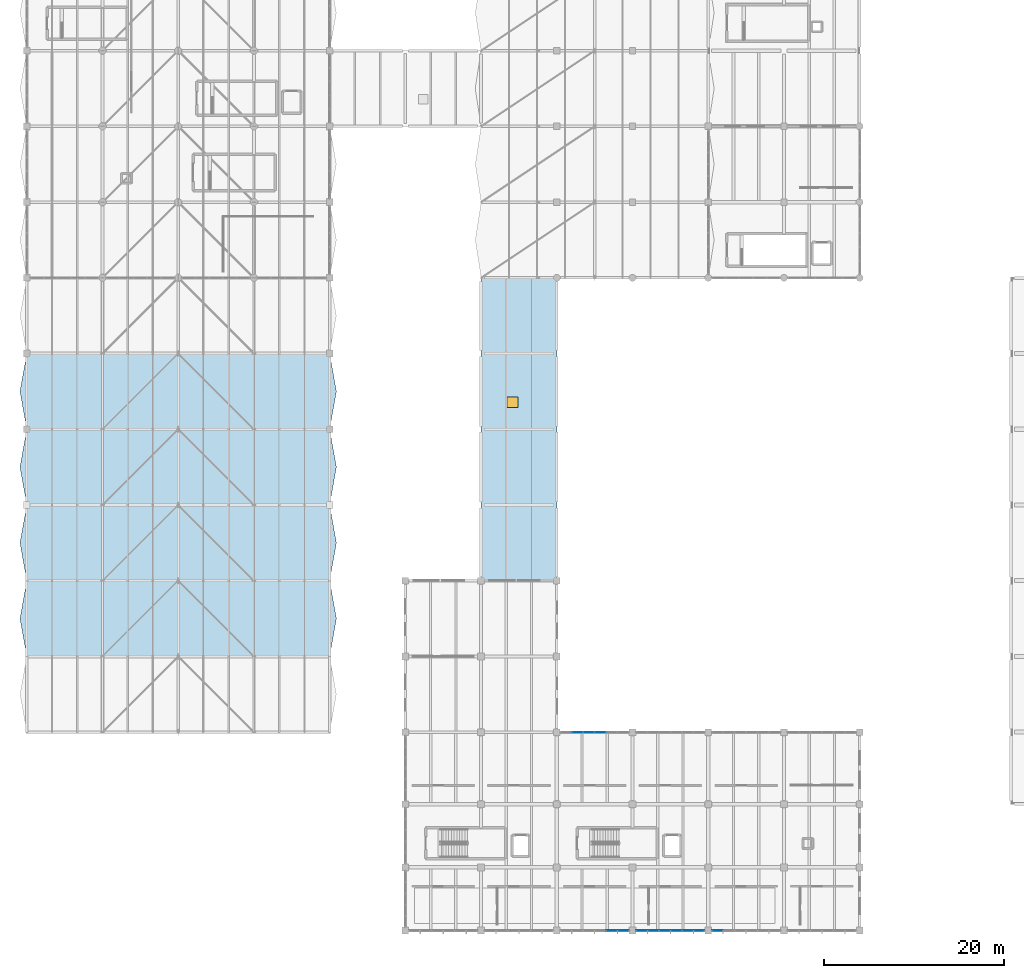
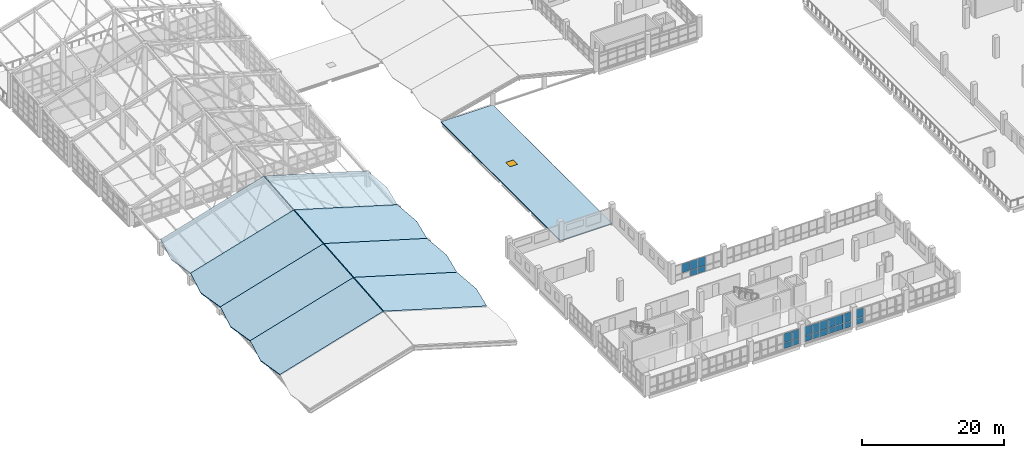
# One storey, part 65 of 95: 23 plates, 9 slabs, 1 door, 1 opening, 4 elements without a shape of their own.
"""IFC4 building model written with IfcOpenShell, lengths in metres."""

from ifc_helpers import new_model, si_unit, direction, frame, origin, origin_2d, place, context, subcontext, project, spatial, polyline, rectangle, outline, extrude, material, layer, layer_set, type_object, element, fill, aggregate, save


model = new_model("IFC4")

# Units and contexts
model_context = context("Model", 3, precision=1e-05, world=origin(), true_north=direction((0.0, 1.0)))
body_context = subcontext(model_context, "Body", "Model", "MODEL_VIEW")
ifc_project = project(units=[si_unit("LENGTHUNIT", "METRE"), si_unit("AREAUNIT", "SQUARE_METRE"), si_unit("VOLUMEUNIT", "CUBIC_METRE"), si_unit("PLANEANGLEUNIT", "RADIAN"), si_unit("MASSUNIT", "GRAM", prefix="KILO"), si_unit("THERMODYNAMICTEMPERATUREUNIT", "KELVIN"), si_unit("POWERUNIT", "WATT")], contexts=[model_context])

# Site, building, storey
site_placement = place(None, origin())
site = spatial("IfcSite", under=ifc_project, at=site_placement, CompositionType="ELEMENT")
building_placement = place(site_placement, origin())
building = spatial("IfcBuilding", under=site, at=building_placement, Name="Mavoryth Pier Ferry Terminal", CompositionType="ELEMENT")
storey_placement = place(building_placement, frame((0.0, 0.0, 9.60009765625)))
storey = spatial("IfcBuildingStorey", under=building, at=storey_placement, Name="L02", CompositionType="ELEMENT", Elevation=9.60009765625)

# Curtain wall, plates
ifc_material_1 = material(Name="Anodised Aluminium and Solar-Control Low-E Glass", Category="aluminium")
ifc_layer_1 = layer(ifc_material_1, 0.239990234375, Name="Anodised Aluminium and Solar-Control Low-E Glass", Category="aluminium")
ifc_layer_set_1 = layer_set([ifc_layer_1], Name="Anodised Aluminium and Solar-Control Low-E Glass - CW-Operations-Mod1200")
curtain_wall_type = type_object("IfcCurtainWallType", Name="CW-Operations-Mod1200", PredefinedType="USERDEFINED", material=ifc_layer_set_1)
curtain_wall_1_placement = place(storey_placement, origin())
curtain_wall_1 = element("IfcCurtainWall", 1, at=curtain_wall_1_placement, inside=storey, type_object=curtain_wall_type, Name="Curtain Wall CW-0222-125", ObjectType="UNITISED CURTAIN WALL", PredefinedType="USERDEFINED")
ifc_material_2 = material(Name="Solar-Control Low-E Laminated Double Glazing", Category="glass")
ifc_layer_2 = layer(ifc_material_2, 0.02392578125, Name="Solar-Control Low-E Laminated Double Glazing", Category="glass")
ifc_layer_set_2 = layer_set([ifc_layer_2], Name="Solar-Control Low-E Laminated Double Glazing - Panel-LowE-DGU-24")
plate_type = type_object("IfcPlateType", Name="Panel-LowE-DGU-24", PredefinedType="CURTAIN_PANEL", material=ifc_layer_set_2)
plate_1_placement = place(storey_placement, frame((64.91259765625, 0.0, 0.059814453125), z_axis=(0.0, 0.0, 1.0), x_axis=(1.0, 0.0, 0.0)))
plate_1 = element("IfcPlate", 2, at=plate_1_placement, type_object=plate_type, Name="CW06 panel 5.1", PredefinedType="CURTAIN_PANEL", context=body_context, shape_type="SweptSolid", body=[
    extrude(rectangle(XDim=1.215087890625, YDim=0.02392578125, at=origin_2d()), origin(), (0.0, 0.0, 1.0), 0.9599609375),
])
plate_2_placement = place(storey_placement, frame((64.91259765625, 0.0, 1.079833984375), z_axis=(0.0, 0.0, 1.0), x_axis=(1.0, 0.0, 0.0)))
plate_2 = element("IfcPlate", 3, at=plate_2_placement, type_object=plate_type, Name="CW06 panel 5.2", PredefinedType="CURTAIN_PANEL", context=body_context, shape_type="SweptSolid", body=[
    extrude(rectangle(XDim=1.215087890625, YDim=0.02392578125, at=origin_2d()), origin(), (0.0, 0.0, 1.0), 1.56494140625),
])
plate_3_placement = place(storey_placement, frame((66.172607421875, 0.0, 0.059814453125), z_axis=(0.0, 0.0, 1.0), x_axis=(1.0, 0.0, 0.0)))
plate_3 = element("IfcPlate", 4, at=plate_3_placement, type_object=plate_type, Name="CW06 panel 6.1", PredefinedType="CURTAIN_PANEL", context=body_context, shape_type="SweptSolid", body=[
    extrude(rectangle(XDim=1.18505859375, YDim=0.02392578125, at=origin_2d()), origin(), (0.0, 0.0, 1.0), 0.9599609375),
])
plate_4_placement = place(storey_placement, frame((66.172607421875, 0.0, 1.079833984375), z_axis=(0.0, 0.0, 1.0), x_axis=(1.0, 0.0, 0.0)))
plate_4 = element("IfcPlate", 5, at=plate_4_placement, type_object=plate_type, Name="CW06 panel 6.2", PredefinedType="CURTAIN_PANEL", context=body_context, shape_type="SweptSolid", body=[
    extrude(rectangle(XDim=1.18505859375, YDim=0.02392578125, at=origin_2d()), origin(), (0.0, 0.0, 1.0), 1.56494140625),
])
aggregate(curtain_wall_1, [plate_1, plate_2, plate_3, plate_4])

curtain_wall_2_placement = place(storey_placement, origin())
curtain_wall_2 = element("IfcCurtainWall", 6, at=curtain_wall_2_placement, inside=storey, type_object=curtain_wall_type, Name="Curtain Wall CW-0222-126", ObjectType="UNITISED CURTAIN WALL", PredefinedType="USERDEFINED")
plate_5_placement = place(storey_placement, frame((63.637451171875, 22.0, 0.059814453125), z_axis=(0.0, 0.0, 1.0), x_axis=(-1.0, 0.0, 0.0)))
plate_5 = element("IfcPlate", 7, at=plate_5_placement, type_object=plate_type, Name="CW06 panel 3.1", PredefinedType="CURTAIN_PANEL", context=body_context, shape_type="SweptSolid", body=[
    extrude(rectangle(XDim=1.215087890625, YDim=0.02392578125, at=origin_2d()), origin(), (0.0, 0.0, 1.0), 0.9599609375),
])
plate_6_placement = place(storey_placement, frame((63.637451171875, 22.0, 1.079833984375), z_axis=(0.0, 0.0, 1.0), x_axis=(-1.0, 0.0, 0.0)))
plate_6 = element("IfcPlate", 8, at=plate_6_placement, type_object=plate_type, Name="CW06 panel 3.2", PredefinedType="CURTAIN_PANEL", context=body_context, shape_type="SweptSolid", body=[
    extrude(rectangle(XDim=1.215087890625, YDim=0.02392578125, at=origin_2d()), origin(), (0.0, 0.0, 1.0), 1.56494140625),
])
plate_7_placement = place(storey_placement, frame((62.362548828125, 22.0, 0.059814453125), z_axis=(0.0, 0.0, 1.0), x_axis=(-1.0, 0.0, 0.0)))
plate_7 = element("IfcPlate", 9, at=plate_7_placement, type_object=plate_type, Name="CW06 panel 4.1", PredefinedType="CURTAIN_PANEL", context=body_context, shape_type="SweptSolid", body=[
    extrude(rectangle(XDim=1.215087890625, YDim=0.02392578125, at=origin_2d()), origin(), (0.0, 0.0, 1.0), 0.9599609375),
])
plate_8_placement = place(storey_placement, frame((62.362548828125, 22.0, 1.079833984375), z_axis=(0.0, 0.0, 1.0), x_axis=(-1.0, 0.0, 0.0)))
plate_8 = element("IfcPlate", 10, at=plate_8_placement, type_object=plate_type, Name="CW06 panel 4.2", PredefinedType="CURTAIN_PANEL", context=body_context, shape_type="SweptSolid", body=[
    extrude(rectangle(XDim=1.215087890625, YDim=0.02392578125, at=origin_2d()), origin(), (0.0, 0.0, 1.0), 1.56494140625),
])
plate_9_placement = place(storey_placement, frame((61.08740234375, 22.0, 1.079833984375), z_axis=(0.0, 0.0, 1.0), x_axis=(-1.0, 0.0, 0.0)))
plate_9 = element("IfcPlate", 11, at=plate_9_placement, type_object=plate_type, Name="CW06 panel 5.2", PredefinedType="CURTAIN_PANEL", context=body_context, shape_type="SweptSolid", body=[
    extrude(rectangle(XDim=1.215087890625, YDim=0.02392578125, at=origin_2d()), origin(), (0.0, 0.0, 1.0), 1.56494140625),
])
aggregate(curtain_wall_2, [plate_5, plate_6, plate_7, plate_8, plate_9])

curtain_wall_3_placement = place(storey_placement, origin())
curtain_wall_3 = element("IfcCurtainWall", 12, at=curtain_wall_3_placement, inside=storey, type_object=curtain_wall_type, Name="Curtain Wall CW-0222-127", ObjectType="UNITISED CURTAIN WALL", PredefinedType="USERDEFINED")
plate_10_placement = place(storey_placement, frame((68.2275390625, 0.0, 0.059814453125), z_axis=(0.0, 0.0, 1.0), x_axis=(1.0, 0.0, 0.0)))
plate_10 = element("IfcPlate", 13, at=plate_10_placement, type_object=plate_type, Name="CW06 panel 1.1", PredefinedType="CURTAIN_PANEL", context=body_context, shape_type="SweptSolid", body=[
    extrude(rectangle(XDim=1.18505859375, YDim=0.02392578125, at=origin_2d()), origin(), (0.0, 0.0, 1.0), 0.9599609375),
])
plate_11_placement = place(storey_placement, frame((68.2275390625, 0.0, 1.079833984375), z_axis=(0.0, 0.0, 1.0), x_axis=(1.0, 0.0, 0.0)))
plate_11 = element("IfcPlate", 14, at=plate_11_placement, type_object=plate_type, Name="CW06 panel 1.2", PredefinedType="CURTAIN_PANEL", context=body_context, shape_type="SweptSolid", body=[
    extrude(rectangle(XDim=1.18505859375, YDim=0.02392578125, at=origin_2d()), origin(), (0.0, 0.0, 1.0), 1.56494140625),
])
plate_12_placement = place(storey_placement, frame((69.487548828125, 0.0, 0.059814453125), z_axis=(0.0, 0.0, 1.0), x_axis=(1.0, 0.0, 0.0)))
plate_12 = element("IfcPlate", 15, at=plate_12_placement, type_object=plate_type, Name="CW06 panel 2.1", PredefinedType="CURTAIN_PANEL", context=body_context, shape_type="SweptSolid", body=[
    extrude(rectangle(XDim=1.215087890625, YDim=0.02392578125, at=origin_2d()), origin(), (0.0, 0.0, 1.0), 0.9599609375),
])
plate_13_placement = place(storey_placement, frame((69.487548828125, 0.0, 1.079833984375), z_axis=(0.0, 0.0, 1.0), x_axis=(1.0, 0.0, 0.0)))
plate_13 = element("IfcPlate", 16, at=plate_13_placement, type_object=plate_type, Name="CW06 panel 2.2", PredefinedType="CURTAIN_PANEL", context=body_context, shape_type="SweptSolid", body=[
    extrude(rectangle(XDim=1.215087890625, YDim=0.02392578125, at=origin_2d()), origin(), (0.0, 0.0, 1.0), 1.56494140625),
])
plate_14_placement = place(storey_placement, frame((70.762451171875, 0.0, 0.059814453125), z_axis=(0.0, 0.0, 1.0), x_axis=(1.0, 0.0, 0.0)))
plate_14 = element("IfcPlate", 17, at=plate_14_placement, type_object=plate_type, Name="CW06 panel 3.1", PredefinedType="CURTAIN_PANEL", context=body_context, shape_type="SweptSolid", body=[
    extrude(rectangle(XDim=1.215087890625, YDim=0.02392578125, at=origin_2d()), origin(), (0.0, 0.0, 1.0), 0.9599609375),
])
plate_15_placement = place(storey_placement, frame((70.762451171875, 0.0, 1.079833984375), z_axis=(0.0, 0.0, 1.0), x_axis=(1.0, 0.0, 0.0)))
plate_15 = element("IfcPlate", 18, at=plate_15_placement, type_object=plate_type, Name="CW06 panel 3.2", PredefinedType="CURTAIN_PANEL", context=body_context, shape_type="SweptSolid", body=[
    extrude(rectangle(XDim=1.215087890625, YDim=0.02392578125, at=origin_2d()), origin(), (0.0, 0.0, 1.0), 1.56494140625),
])
plate_16_placement = place(storey_placement, frame((72.03759765625, 0.0, 0.059814453125), z_axis=(0.0, 0.0, 1.0), x_axis=(1.0, 0.0, 0.0)))
plate_16 = element("IfcPlate", 19, at=plate_16_placement, type_object=plate_type, Name="CW06 panel 4.1", PredefinedType="CURTAIN_PANEL", context=body_context, shape_type="SweptSolid", body=[
    extrude(rectangle(XDim=1.215087890625, YDim=0.02392578125, at=origin_2d()), origin(), (0.0, 0.0, 1.0), 0.9599609375),
])
plate_17_placement = place(storey_placement, frame((72.03759765625, 0.0, 1.079833984375), z_axis=(0.0, 0.0, 1.0), x_axis=(1.0, 0.0, 0.0)))
plate_17 = element("IfcPlate", 20, at=plate_17_placement, type_object=plate_type, Name="CW06 panel 4.2", PredefinedType="CURTAIN_PANEL", context=body_context, shape_type="SweptSolid", body=[
    extrude(rectangle(XDim=1.215087890625, YDim=0.02392578125, at=origin_2d()), origin(), (0.0, 0.0, 1.0), 1.56494140625),
])
plate_18_placement = place(storey_placement, frame((73.3125, 0.0, 0.059814453125), z_axis=(0.0, 0.0, 1.0), x_axis=(1.0, 0.0, 0.0)))
plate_18 = element("IfcPlate", 21, at=plate_18_placement, type_object=plate_type, Name="CW06 panel 5.1", PredefinedType="CURTAIN_PANEL", context=body_context, shape_type="SweptSolid", body=[
    extrude(rectangle(XDim=1.215087890625, YDim=0.02392578125, at=origin_2d()), origin(), (0.0, 0.0, 1.0), 0.9599609375),
])
plate_19_placement = place(storey_placement, frame((73.3125, 0.0, 1.079833984375), z_axis=(0.0, 0.0, 1.0), x_axis=(1.0, 0.0, 0.0)))
plate_19 = element("IfcPlate", 22, at=plate_19_placement, type_object=plate_type, Name="CW06 panel 5.2", PredefinedType="CURTAIN_PANEL", context=body_context, shape_type="SweptSolid", body=[
    extrude(rectangle(XDim=1.215087890625, YDim=0.02392578125, at=origin_2d()), origin(), (0.0, 0.0, 1.0), 1.56494140625),
])
plate_20_placement = place(storey_placement, frame((74.572509765625, 0.0, 0.059814453125), z_axis=(0.0, 0.0, 1.0), x_axis=(1.0, 0.0, 0.0)))
plate_20 = element("IfcPlate", 23, at=plate_20_placement, type_object=plate_type, Name="CW06 panel 6.1", PredefinedType="CURTAIN_PANEL", context=body_context, shape_type="SweptSolid", body=[
    extrude(rectangle(XDim=1.18505859375, YDim=0.02392578125, at=origin_2d()), origin(), (0.0, 0.0, 1.0), 0.9599609375),
])
plate_21_placement = place(storey_placement, frame((74.572509765625, 0.0, 1.079833984375), z_axis=(0.0, 0.0, 1.0), x_axis=(1.0, 0.0, 0.0)))
plate_21 = element("IfcPlate", 24, at=plate_21_placement, type_object=plate_type, Name="CW06 panel 6.2", PredefinedType="CURTAIN_PANEL", context=body_context, shape_type="SweptSolid", body=[
    extrude(rectangle(XDim=1.18505859375, YDim=0.02392578125, at=origin_2d()), origin(), (0.0, 0.0, 1.0), 1.56494140625),
])
aggregate(curtain_wall_3, [plate_10, plate_11, plate_12, plate_13, plate_14, plate_15, plate_16, plate_17, plate_18, plate_19, plate_20, plate_21])

curtain_wall_4_placement = place(storey_placement, origin())
curtain_wall_4 = element("IfcCurtainWall", 25, at=curtain_wall_4_placement, inside=storey, type_object=curtain_wall_type, Name="Curtain Wall CW-0222-129", ObjectType="UNITISED CURTAIN WALL", PredefinedType="USERDEFINED")
plate_22_placement = place(storey_placement, frame((76.62744140625, 0.0, 0.059814453125), z_axis=(0.0, 0.0, 1.0), x_axis=(1.0, 0.0, 0.0)))
plate_22 = element("IfcPlate", 26, at=plate_22_placement, type_object=plate_type, Name="CW06 panel 1.1", PredefinedType="CURTAIN_PANEL", context=body_context, shape_type="SweptSolid", body=[
    extrude(rectangle(XDim=1.18505859375, YDim=0.02392578125, at=origin_2d()), origin(), (0.0, 0.0, 1.0), 0.9599609375),
])
plate_23_placement = place(storey_placement, frame((76.62744140625, 0.0, 1.079833984375), z_axis=(0.0, 0.0, 1.0), x_axis=(1.0, 0.0, 0.0)))
plate_23 = element("IfcPlate", 27, at=plate_23_placement, type_object=plate_type, Name="CW06 panel 1.2", PredefinedType="CURTAIN_PANEL", context=body_context, shape_type="SweptSolid", body=[
    extrude(rectangle(XDim=1.18505859375, YDim=0.02392578125, at=origin_2d()), origin(), (0.0, 0.0, 1.0), 1.56494140625),
])
aggregate(curtain_wall_4, [plate_22, plate_23])

# Slab, opening, door
ifc_material_3 = material(Name="Concrete C35/45", Category="concrete")
ifc_layer_3 = layer(ifc_material_3, 0.159912109375, Name="Concrete C35/45", Category="concrete")
ifc_layer_set_3 = layer_set([ifc_layer_3], Name="Concrete C35/45 - Slab-Roof-Canopy-160")
slab_type_1 = type_object("IfcSlabType", Name="Slab-Roof-Canopy-160", PredefinedType="ROOF", material=ifc_layer_set_3)
slab_1_placement = place(storey_placement, frame((0.0, 0.0, -0.16015625)))
slab_1 = element("IfcSlab", 28, at=slab_1_placement, inside=storey, type_object=slab_type_1, Name="Slab SLB-BR52-RF", PredefinedType="ROOF", context=body_context, shape_type="SweptSolid", body=[
    extrude(outline(polyline([(50.39990234375, 38.800048828125), (58.800048828125, 38.800048828125), (58.800048828125, 72.39990234375), (50.39990234375, 72.39990234375), (50.39990234375, 38.800048828125)]), holes=[polyline([(53.300048828125, 58.0), (54.5, 58.0), (54.5, 59.199951171875), (53.300048828125, 59.199951171875), (53.300048828125, 58.0)])]), origin(), (0.0, 0.0, 1.0), 0.16015625),
])
opening_placement = place(slab_1_placement, frame((53.89990234375, 58.60009765625, 0.0)))
opening = element("IfcOpeningElement", 29, at=opening_placement, cuts=slab_1, Name="Opening RH01-06", PredefinedType="OPENING", context=body_context, shape_type="SweptSolid", body=[
    extrude(rectangle(XDim=1.199951171875, YDim=1.199951171875, at=origin_2d()), frame((0.0, 0.0, -0.010009765625)), (0.0, 0.0, 1.0), 0.18017578125),
])
ifc_material_4 = material(Name="Thermally Broken Anodised Aluminium and Laminated Glass", Category="aluminium")
door_type = type_object("IfcDoorType", Name="Hatch-RoofAccess-1200x1200", OperationType="NOTDEFINED", PredefinedType="TRAPDOOR", material=ifc_material_4)
door_placement = place(opening_placement, frame((0.0, 0.0, 0.110107421875)))
door = element("IfcDoor", 30, at=door_placement, inside=storey, type_object=door_type, Name="Roof Maintenance Access Hatch 6", OperationType="SINGLE_SWING_LEFT", OverallHeight=1.199951171875, OverallWidth=1.199951171875, PredefinedType="TRAPDOOR", context=body_context, shape_type="SweptSolid", body=[
    extrude(rectangle(XDim=1.199951171875, YDim=1.199951171875, at=origin_2d()), origin(), (0.0, 0.0, 1.0), 0.050048828125),
])
fill(opening, door)

# Slabs
ifc_layer_4 = layer(ifc_material_3, 0.219970703125, Name="Concrete C35/45", Category="concrete")
ifc_layer_set_4 = layer_set([ifc_layer_4], Name="Concrete C35/45 - Slab-Roof-FoldedV1-220")
slab_type_2 = type_object("IfcSlabType", Name="Slab-Roof-FoldedV1-220", PredefinedType="ROOF", material=ifc_layer_set_4)
slab_2_placement = place(storey_placement, frame((0.0, 30.39990234375, -0.285888671875), z_axis=(-0.284139743461, -0.081242455008, 0.955334637543), x_axis=(0.95850308777, 3.50045e-07, 0.285082147346)))
element("IfcSlab", 31, at=slab_2_placement, inside=storey, type_object=slab_type_2, Name="Departure Folded Roof West Bay 2", PredefinedType="ROOF", context=body_context, shape_type="SweptSolid", body=[
    extrude(outline(polyline([(0.0, 0.0), (17.45633913787221, 5.551115123125783e-17), (17.65999206930148, 8.428006299132136), (0.20365293142927007, 8.428006299132138), (-0.6805957720737122, 4.214138161071467), (0.0, 0.0)])), origin(), (0.0, 0.0, -1.0), 0.219970703125),
])
slab_3_placement = place(storey_placement, frame((16.867919921875, 30.39990234375, 4.690673828125), z_axis=(0.284136015813, -0.081242548614, 0.955335738268), x_axis=(0.958504199648, -3.42964e-07, -0.285078408963)))
element("IfcSlab", 32, at=slab_3_placement, inside=storey, type_object=slab_type_2, Name="Departure Folded Roof East Bay 2", PredefinedType="ROOF", context=body_context, shape_type="SweptSolid", body=[
    extrude(outline(polyline([(0.0, 0.0), (17.45657314726147, 0.0), (18.137170284964895, 4.214137940625462), (17.252922945846716, 8.428006365099307), (-0.20365020141475332, 8.428006365099307), (0.0, 0.0)])), origin(), (0.0, 0.0, -1.0), 0.219970703125),
])
slab_4_placement = place(storey_placement, frame((0.0, 38.800048828125, 0.428466796875), z_axis=(-0.284139422492, -0.081244807401, 0.955334532955), x_axis=(0.958503166713, 3.72628e-07, 0.285081881923)))
element("IfcSlab", 33, at=slab_4_placement, inside=storey, type_object=slab_type_2, Name="Departure Folded Roof West Bay 3", PredefinedType="ROOF", context=body_context, shape_type="SweptSolid", body=[
    extrude(outline(polyline([(0.0, 0.0), (17.45633913785064, 0.0), (17.65999206928016, 8.42776296556743), (0.2036529314295217, 8.42776296556743), (-0.6805957721608349, 4.213894827882526), (0.0, 0.0)])), origin(), (0.0, 0.0, -1.0), 0.219970703125),
])
slab_5_placement = place(storey_placement, frame((16.867919921875, 38.800048828125, 5.405029296875), z_axis=(0.284135694847, -0.08124490101, 0.955335633677), x_axis=(0.958504278589, -3.65546e-07, -0.285078143544)))
element("IfcSlab", 34, at=slab_5_placement, inside=storey, type_object=slab_type_2, Name="Departure Folded Roof East Bay 3", PredefinedType="ROOF", context=body_context, shape_type="SweptSolid", body=[
    extrude(outline(polyline([(0.0, 0.0), (17.45657314724032, 5.551115123125783e-17), (18.137170285029157, 4.213894607431066), (17.25292294582532, 8.427763031536506), (-0.203650201415, 8.427763031536506), (0.0, 0.0)])), origin(), (0.0, 0.0, -1.0), 0.219970703125),
])
slab_6_placement = place(storey_placement, frame((0.0, 47.199951171875, 1.142822265625), z_axis=(-0.28413325731, -0.081229136798, 0.955337699154), x_axis=(0.958505102247, 9.25887e-07, 0.285075374184)))
element("IfcSlab", 35, at=slab_6_placement, inside=storey, type_object=slab_type_2, Name="Departure Folded Roof West Bay 4", PredefinedType="ROOF", context=body_context, shape_type="SweptSolid", body=[
    extrude(outline(polyline([(0.0, 0.0), (17.456339136900237, 1.6653345369377348e-16), (17.659922468560687, 8.427987290022543), (0.20365293014047858, 8.428006298391438), (-0.6805957739910057, 4.213894824795017), (0.0, 0.0)])), origin(), (0.0, 0.0, -1.0), 0.219970703125),
])
slab_7_placement = place(storey_placement, frame((16.867919921875, 47.199951171875, 6.119384765625), z_axis=(0.284129529732, -0.081229230381, 0.955338799833), x_axis=(0.958506214074, -9.18801e-07, -0.285071635875)))
element("IfcSlab", 36, at=slab_7_placement, inside=storey, type_object=slab_type_2, Name="Departure Folded Roof East Bay 4", PredefinedType="ROOF", context=body_context, shape_type="SweptSolid", body=[
    extrude(outline(polyline([(0.0, 0.0), (17.456573146300286, 5.551115123125783e-17), (18.13717028589279, 4.213894604392298), (17.252922946164503, 8.428006364358371), (-0.20358060256843313, 8.427987355945033), (0.0, 0.0)])), origin(), (0.0, 0.0, -1.0), 0.219970703125),
])
slab_8_placement = place(storey_placement, frame((0.0, 55.60009765625, 1.857177734375), z_axis=(-0.284133155845, -0.081244964769, 0.955336383401), x_axis=(0.958505048522, -1.82032e-07, 0.285075554823)))
element("IfcSlab", 37, at=slab_8_placement, inside=storey, type_object=slab_type_2, Name="Departure Folded Roof West Bay 5", PredefinedType="ROOF", context=body_context, shape_type="SweptSolid", body=[
    extrude(outline(polyline([(0.0, 0.0), (17.45626953842037, 0.0), (17.659913290966493, 8.427763187365834), (0.2036437525461263, 8.427763187365834), (-0.6806699611703131, 4.213875074502775), (0.0, 0.0)])), origin(), (0.0, 0.0, -1.0), 0.219970703125),
])
slab_9_placement = place(storey_placement, frame((16.867919921875, 55.60009765625, 6.83349609375), z_axis=(0.284129428268, -0.081245058374, 0.955337484077), x_axis=(0.958506160351, 1.89107e-07, -0.285071816512)))
element("IfcSlab", 38, at=slab_9_placement, inside=storey, type_object=slab_type_2, Name="Departure Folded Roof East Bay 5", PredefinedType="ROOF", context=body_context, shape_type="SweptSolid", body=[
    extrude(outline(polyline([(0.0, 0.0), (17.45650354873267, -5.551115123125783e-17), (18.137174874547455, 4.213874854013092), (17.25286252609967, 8.427763253329482), (-0.20364102263300257, 8.427763253329482), (0.0, 0.0)])), origin(), (0.0, 0.0, -1.0), 0.219970703125),
])

save(model, "model.ifc")
